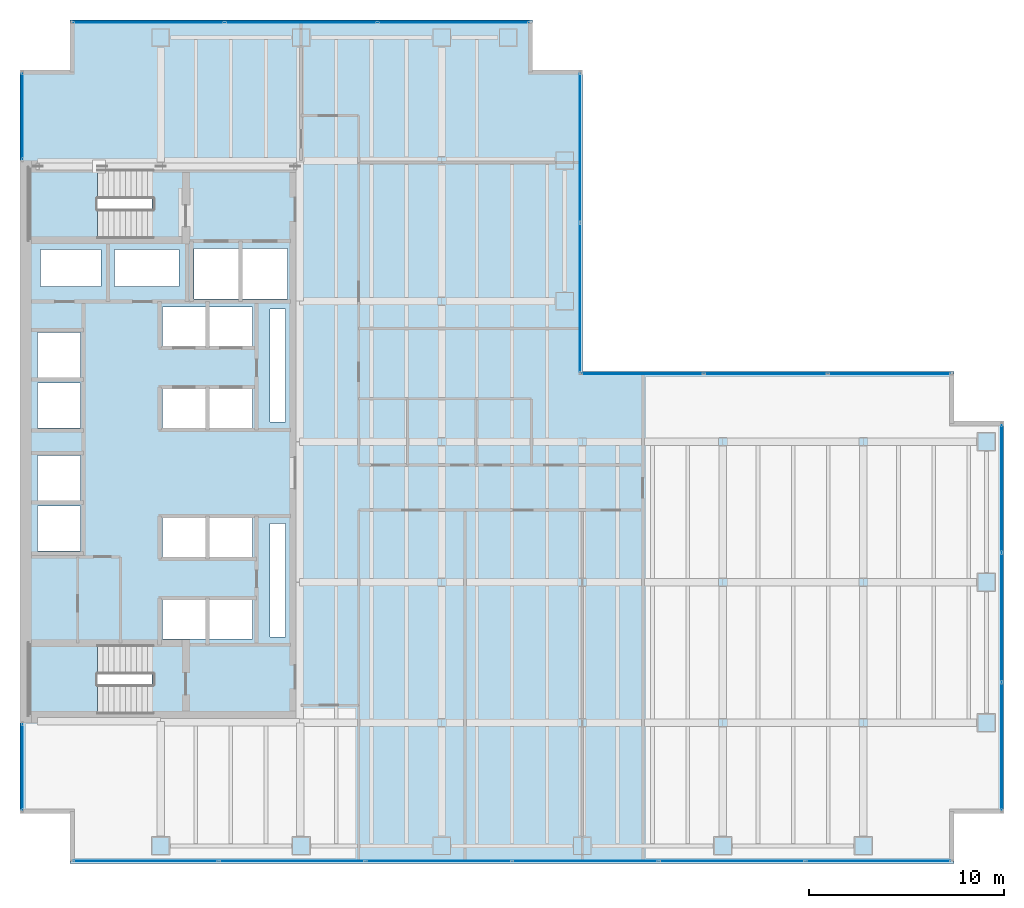
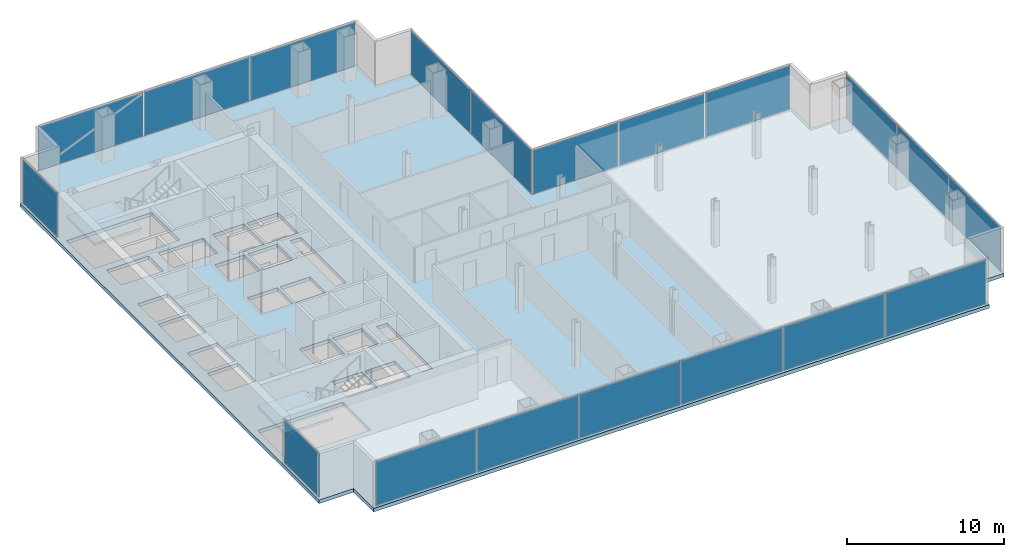
# One storey, part 19 of 24: 19 plates, 3 slabs, 20 openings, 9 elements without a shape of their own.
"""IFC4 building model written with IfcOpenShell, lengths in metres."""

from ifc_helpers import new_model, si_unit, direction, frame, origin, origin_2d, place, context, subcontext, project, spatial, polyline, rectangle, outline, extrude, material, layer, layer_set, type_object, element, aggregate, save


model = new_model("IFC4")

# Units and contexts
model_context = context("Model", 3, precision=1e-05, world=origin(), true_north=direction((0.0, 1.0)))
body_context = subcontext(model_context, "Body", "Model", "MODEL_VIEW")
ifc_project = project(units=[si_unit("LENGTHUNIT", "METRE"), si_unit("AREAUNIT", "SQUARE_METRE"), si_unit("VOLUMEUNIT", "CUBIC_METRE"), si_unit("PLANEANGLEUNIT", "RADIAN"), si_unit("MASSUNIT", "GRAM", prefix="KILO")], contexts=[model_context])

# Site, building, storey
site_placement = place(None, origin())
site = spatial("IfcSite", under=ifc_project, at=site_placement, CompositionType="ELEMENT")
building_placement = place(site_placement, origin())
building = spatial("IfcBuilding", under=site, at=building_placement, Name="Cobrela Telecom Tower", CompositionType="ELEMENT")
storey_placement = place(building_placement, frame((0.0, 0.0, 77.35009765625)))
storey = spatial("IfcBuildingStorey", under=building, at=storey_placement, Name="L19", CompositionType="ELEMENT", Elevation=77.35009765625)

# Curtain wall, plate
ifc_material_1 = material(Name="Anodized Bronze Aluminium 6063-T6", Category="aluminium")
curtain_wall_type = type_object("IfcCurtainWallType", Name="CW-SYS-DATA", PredefinedType="USERDEFINED", material=ifc_material_1)
curtain_wall_1_placement = place(storey_placement, origin())
curtain_wall_1 = element("IfcCurtainWall", 1, at=curtain_wall_1_placement, inside=storey, type_object=curtain_wall_type, Name="L19 Unitised Bronze Curtain Wall 03", ObjectType="UNITISED CURTAIN WALL", PredefinedType="USERDEFINED")
ifc_material_2 = material(Name="Solar-Control Bronze Low-E Glass", Category="glass")
ifc_layer_1 = layer(ifc_material_2, 0.0380859375)
ifc_layer_set_1 = layer_set([ifc_layer_1], Name="Solar-Control Bronze Low-E Glass")
plate_type = type_object("IfcPlateType", Name="CW-SYS-DATA-PNL", PredefinedType="CURTAIN_PANEL", material=ifc_layer_set_1)
plate_1_placement = place(storey_placement, frame((0.1201171875, 4.93505859375, 0.074951171875), z_axis=(0.0, 0.0, 1.0), x_axis=(0.0, 1.0, 0.0)))
plate_1 = element("IfcPlate", 2, at=plate_1_placement, type_object=plate_type, Name="CW-DATA panel 1.1", PredefinedType="CURTAIN_PANEL", context=body_context, shape_type="SweptSolid", body=[
    extrude(rectangle(XDim=4.3701171875, YDim=0.0380859375, at=origin_2d()), origin(), (0.0, 0.0, 1.0), 3.419921875),
])
aggregate(curtain_wall_1, [plate_1])

curtain_wall_2_placement = place(storey_placement, origin())
curtain_wall_2 = element("IfcCurtainWall", 3, at=curtain_wall_2_placement, inside=storey, type_object=curtain_wall_type, Name="L19 Unitised Bronze Curtain Wall 04", ObjectType="UNITISED CURTAIN WALL", PredefinedType="USERDEFINED")
plate_2_placement = place(storey_placement, frame((0.1201171875, 38.264892578125, 0.074951171875), z_axis=(0.0, 0.0, 1.0), x_axis=(0.0, 1.0, 0.0)))
plate_2 = element("IfcPlate", 4, at=plate_2_placement, type_object=plate_type, Name="CW-DATA panel 1.1", PredefinedType="CURTAIN_PANEL", context=body_context, shape_type="SweptSolid", body=[
    extrude(rectangle(XDim=4.3701171875, YDim=0.0380859375, at=origin_2d()), origin(), (0.0, 0.0, 1.0), 3.419921875),
])
aggregate(curtain_wall_2, [plate_2])

# Curtain wall, plates
curtain_wall_3_placement = place(storey_placement, origin())
curtain_wall_3 = element("IfcCurtainWall", 5, at=curtain_wall_3_placement, inside=storey, type_object=curtain_wall_type, Name="L19 Unitised Bronze Curtain Wall 07", ObjectType="UNITISED CURTAIN WALL", PredefinedType="USERDEFINED")
plate_3_placement = place(storey_placement, frame((6.60009765625, 43.080078125, 0.074951171875), z_axis=(0.0, 0.0, 1.0), x_axis=(1.0, 0.0, 0.0)))
plate_3 = element("IfcPlate", 6, at=plate_3_placement, type_object=plate_type, Name="CW-DATA panel 1.1", PredefinedType="CURTAIN_PANEL", context=body_context, shape_type="SweptSolid", body=[
    extrude(rectangle(XDim=7.699951171875, YDim=0.0380859375, at=origin_2d()), origin(), (0.0, 0.0, 1.0), 3.419921875),
])
plate_4_placement = place(storey_placement, frame((14.39990234375, 43.080078125, 0.074951171875), z_axis=(0.0, 0.0, 1.0), x_axis=(1.0, 0.0, 0.0)))
plate_4 = element("IfcPlate", 7, at=plate_4_placement, type_object=plate_type, Name="CW-DATA panel 2.1", PredefinedType="CURTAIN_PANEL", context=body_context, shape_type="SweptSolid", body=[
    extrude(rectangle(XDim=7.739990234375, YDim=0.0380859375, at=origin_2d()), origin(), (0.0, 0.0, 1.0), 3.419921875),
])
plate_5_placement = place(storey_placement, frame((22.199951171875, 43.080078125, 0.074951171875), z_axis=(0.0, 0.0, 1.0), x_axis=(1.0, 0.0, 0.0)))
plate_5 = element("IfcPlate", 8, at=plate_5_placement, type_object=plate_type, Name="CW-DATA panel 3.1", PredefinedType="CURTAIN_PANEL", context=body_context, shape_type="SweptSolid", body=[
    extrude(rectangle(XDim=7.699951171875, YDim=0.0380859375, at=origin_2d()), origin(), (0.0, 0.0, 1.0), 3.419921875),
])
aggregate(curtain_wall_3, [plate_3, plate_4, plate_5])

curtain_wall_4_placement = place(storey_placement, origin())
curtain_wall_4 = element("IfcCurtainWall", 9, at=curtain_wall_4_placement, inside=storey, type_object=curtain_wall_type, Name="L19 Unitised Bronze Curtain Wall 10", ObjectType="UNITISED CURTAIN WALL", PredefinedType="USERDEFINED")
plate_6_placement = place(storey_placement, frame((28.679931640625, 36.6474609375, 0.074951171875), z_axis=(0.0, 0.0, 1.0), x_axis=(0.0, -1.0, 0.0)))
plate_6 = element("IfcPlate", 10, at=plate_6_placement, type_object=plate_type, Name="CW-DATA panel 1.1", PredefinedType="CURTAIN_PANEL", context=body_context, shape_type="SweptSolid", body=[
    extrude(rectangle(XDim=7.60498046875, YDim=0.0380859375, at=origin_2d()), origin(), (0.0, 0.0, 1.0), 3.419921875),
])
plate_7_placement = place(storey_placement, frame((28.679931640625, 28.96240234375, 0.074951171875), z_axis=(0.0, 0.0, 1.0), x_axis=(0.0, -1.0, 0.0)))
plate_7 = element("IfcPlate", 11, at=plate_7_placement, type_object=plate_type, Name="CW-DATA panel 2.1", PredefinedType="CURTAIN_PANEL", context=body_context, shape_type="SweptSolid", body=[
    extrude(rectangle(XDim=7.60498046875, YDim=0.0380859375, at=origin_2d()), origin(), (0.0, 0.0, 1.0), 3.419921875),
])
aggregate(curtain_wall_4, [plate_6, plate_7])

curtain_wall_5_placement = place(storey_placement, origin())
curtain_wall_5 = element("IfcCurtainWall", 12, at=curtain_wall_5_placement, inside=storey, type_object=curtain_wall_type, Name="L19 Unitised Bronze Curtain Wall 11", ObjectType="UNITISED CURTAIN WALL", PredefinedType="USERDEFINED")
plate_8_placement = place(storey_placement, frame((31.875, 25.080078125, 0.074951171875), z_axis=(0.0, 0.0, 1.0), x_axis=(1.0, 0.0, 0.0)))
plate_8 = element("IfcPlate", 13, at=plate_8_placement, type_object=plate_type, Name="CW-DATA panel 1.1", PredefinedType="CURTAIN_PANEL", context=body_context, shape_type="SweptSolid", body=[
    extrude(rectangle(XDim=6.22998046875, YDim=0.0380859375, at=origin_2d()), origin(), (0.0, 0.0, 1.0), 3.419921875),
])
plate_9_placement = place(storey_placement, frame((38.205078125, 25.080078125, 0.074951171875), z_axis=(0.0, 0.0, 1.0), x_axis=(1.0, 0.0, 0.0)))
plate_9 = element("IfcPlate", 14, at=plate_9_placement, type_object=plate_type, Name="CW-DATA panel 2.1", PredefinedType="CURTAIN_PANEL", context=body_context, shape_type="SweptSolid", body=[
    extrude(rectangle(XDim=6.27001953125, YDim=0.0380859375, at=origin_2d()), origin(), (0.0, 0.0, 1.0), 3.419921875),
])
plate_10_placement = place(storey_placement, frame((44.534912109375, 25.080078125, 0.074951171875), z_axis=(0.0, 0.0, 1.0), x_axis=(1.0, 0.0, 0.0)))
plate_10 = element("IfcPlate", 15, at=plate_10_placement, type_object=plate_type, Name="CW-DATA panel 3.1", PredefinedType="CURTAIN_PANEL", context=body_context, shape_type="SweptSolid", body=[
    extrude(rectangle(XDim=6.22998046875, YDim=0.0380859375, at=origin_2d()), origin(), (0.0, 0.0, 1.0), 3.419921875),
])
aggregate(curtain_wall_5, [plate_8, plate_9, plate_10])

curtain_wall_6_placement = place(storey_placement, origin())
curtain_wall_6 = element("IfcCurtainWall", 16, at=curtain_wall_6_placement, inside=storey, type_object=curtain_wall_type, Name="L19 Unitised Bronze Curtain Wall 14", ObjectType="UNITISED CURTAIN WALL", PredefinedType="USERDEFINED")
plate_11_placement = place(storey_placement, frame((50.280029296875, 19.199951171875, 0.074951171875), z_axis=(0.0, 0.0, 1.0), x_axis=(0.0, -1.0, 0.0)))
plate_11 = element("IfcPlate", 17, at=plate_11_placement, type_object=plate_type, Name="CW-DATA panel 1.1", PredefinedType="CURTAIN_PANEL", context=body_context, shape_type="SweptSolid", body=[
    extrude(rectangle(XDim=6.5, YDim=0.0380859375, at=origin_2d()), origin(), (0.0, 0.0, 1.0), 3.419921875),
])
plate_12_placement = place(storey_placement, frame((50.280029296875, 12.60009765625, 0.074951171875), z_axis=(0.0, 0.0, 1.0), x_axis=(0.0, -1.0, 0.0)))
plate_12 = element("IfcPlate", 18, at=plate_12_placement, type_object=plate_type, Name="CW-DATA panel 2.1", PredefinedType="CURTAIN_PANEL", context=body_context, shape_type="SweptSolid", body=[
    extrude(rectangle(XDim=6.5400390625, YDim=0.0380859375, at=origin_2d()), origin(), (0.0, 0.0, 1.0), 3.419921875),
])
plate_13_placement = place(storey_placement, frame((50.280029296875, 6.0, 0.074951171875), z_axis=(0.0, 0.0, 1.0), x_axis=(0.0, -1.0, 0.0)))
plate_13 = element("IfcPlate", 19, at=plate_13_placement, type_object=plate_type, Name="CW-DATA panel 3.1", PredefinedType="CURTAIN_PANEL", context=body_context, shape_type="SweptSolid", body=[
    extrude(rectangle(XDim=6.5, YDim=0.0380859375, at=origin_2d()), origin(), (0.0, 0.0, 1.0), 3.419921875),
])
aggregate(curtain_wall_6, [plate_11, plate_12, plate_13])

curtain_wall_7_placement = place(storey_placement, origin())
curtain_wall_7 = element("IfcCurtainWall", 20, at=curtain_wall_7_placement, inside=storey, type_object=curtain_wall_type, Name="L19 Unitised Bronze Curtain Wall 17", ObjectType="UNITISED CURTAIN WALL", PredefinedType="USERDEFINED")
plate_14_placement = place(storey_placement, frame((43.955078125, 0.1201171875, 0.074951171875), z_axis=(0.0, 0.0, 1.0), x_axis=(-1.0, 0.0, 0.0)))
plate_14 = element("IfcPlate", 21, at=plate_14_placement, type_object=plate_type, Name="CW-DATA panel 1.1", PredefinedType="CURTAIN_PANEL", context=body_context, shape_type="SweptSolid", body=[
    extrude(rectangle(XDim=7.389892578125, YDim=0.0380859375, at=origin_2d()), origin(), (0.0, 0.0, 1.0), 3.419921875),
])
plate_15_placement = place(storey_placement, frame((36.465087890625, 0.1201171875, 0.074951171875), z_axis=(0.0, 0.0, 1.0), x_axis=(-1.0, 0.0, 0.0)))
plate_15 = element("IfcPlate", 22, at=plate_15_placement, type_object=plate_type, Name="CW-DATA panel 2.1", PredefinedType="CURTAIN_PANEL", context=body_context, shape_type="SweptSolid", body=[
    extrude(rectangle(XDim=7.429931640625, YDim=0.0380859375, at=origin_2d()), origin(), (0.0, 0.0, 1.0), 3.419921875),
])
plate_16_placement = place(storey_placement, frame((28.955078125, 0.1201171875, 0.074951171875), z_axis=(0.0, 0.0, 1.0), x_axis=(-1.0, 0.0, 0.0)))
plate_16 = element("IfcPlate", 23, at=plate_16_placement, type_object=plate_type, Name="CW-DATA panel 3.1", PredefinedType="CURTAIN_PANEL", context=body_context, shape_type="SweptSolid", body=[
    extrude(rectangle(XDim=7.429931640625, YDim=0.0380859375, at=origin_2d()), origin(), (0.0, 0.0, 1.0), 3.419921875),
])
plate_17_placement = place(storey_placement, frame((21.445068359375, 0.1201171875, 0.074951171875), z_axis=(0.0, 0.0, 1.0), x_axis=(-1.0, 0.0, 0.0)))
plate_17 = element("IfcPlate", 24, at=plate_17_placement, type_object=plate_type, Name="CW-DATA panel 4.1", PredefinedType="CURTAIN_PANEL", context=body_context, shape_type="SweptSolid", body=[
    extrude(rectangle(XDim=7.429931640625, YDim=0.0380859375, at=origin_2d()), origin(), (0.0, 0.0, 1.0), 3.419921875),
])
plate_18_placement = place(storey_placement, frame((13.93505859375, 0.1201171875, 0.074951171875), z_axis=(0.0, 0.0, 1.0), x_axis=(-1.0, 0.0, 0.0)))
plate_18 = element("IfcPlate", 25, at=plate_18_placement, type_object=plate_type, Name="CW-DATA panel 5.1", PredefinedType="CURTAIN_PANEL", context=body_context, shape_type="SweptSolid", body=[
    extrude(rectangle(XDim=7.429931640625, YDim=0.0380859375, at=origin_2d()), origin(), (0.0, 0.0, 1.0), 3.419921875),
])
plate_19_placement = place(storey_placement, frame((6.445068359375, 0.1201171875, 0.074951171875), z_axis=(0.0, 0.0, 1.0), x_axis=(-1.0, 0.0, 0.0)))
plate_19 = element("IfcPlate", 26, at=plate_19_placement, type_object=plate_type, Name="CW-DATA panel 6.1", PredefinedType="CURTAIN_PANEL", context=body_context, shape_type="SweptSolid", body=[
    extrude(rectangle(XDim=7.389892578125, YDim=0.0380859375, at=origin_2d()), origin(), (0.0, 0.0, 1.0), 3.419921875),
])
aggregate(curtain_wall_7, [plate_14, plate_15, plate_16, plate_17, plate_18, plate_19])

# Slab, openings
ifc_material_3 = material(Name="Concrete C40/50", Category="concrete")
ifc_layer_2 = layer(ifc_material_3, 0.280029296875)
ifc_layer_set_2 = layer_set([ifc_layer_2], Name="Concrete C40/50")
slab_type_1 = type_object("IfcSlabType", Name="SLAB-FLR-280", PredefinedType="FLOOR", material=ifc_layer_set_2)
slab_1_placement = place(storey_placement, frame((0.0, 0.0, -0.280029296875)))
slab_1 = element("IfcSlab", 27, at=slab_1_placement, inside=storey, type_object=slab_type_1, Name="L19 Structural Floor Slab", PredefinedType="FLOOR", context=body_context, shape_type="SweptSolid", body=[
    extrude(outline(polyline([(2.550048828125, 0.0), (47.85009765625, 0.0), (47.85009765625, 2.550048828125), (50.39990234375, 2.550048828125), (50.39990234375, 22.64990234375), (47.85009765625, 22.64990234375), (47.85009765625, 25.199951171875), (28.800048828125, 25.199951171875), (28.800048828125, 40.64990234375), (26.25, 40.64990234375), (26.25, 43.199951171875), (2.550048828125, 43.199951171875), (2.550048828125, 40.64990234375), (0.0, 40.64990234375), (0.0, 2.550048828125), (2.550048828125, 2.550048828125), (2.550048828125, 0.0)])), origin(), (0.0, 0.0, 1.0), 0.280029296875),
])
opening_1_placement = place(slab_1_placement, frame((0.0, 0.0, -0.02001953125)))
element("IfcOpeningElement", 28, at=opening_1_placement, cuts=slab_1, Name="Slab Shaft Opening SLAB-L19-MAIN.1", PredefinedType="OPENING", context=body_context, shape_type="SweptSolid", body=[
    extrude(outline(polyline([(8.89990234375, 28.89990234375), (11.199951171875, 28.89990234375), (11.199951171875, 31.5), (8.89990234375, 31.5), (8.89990234375, 28.89990234375)])), origin(), (0.0, 0.0, 1.0), 0.320068359375),
])
opening_2_placement = place(slab_1_placement, frame((0.0, 0.0, -0.02001953125)))
element("IfcOpeningElement", 29, at=opening_2_placement, cuts=slab_1, Name="Slab Shaft Opening SLAB-L19-MAIN.2", PredefinedType="OPENING", context=body_context, shape_type="SweptSolid", body=[
    extrude(outline(polyline([(11.39990234375, 28.89990234375), (13.699951171875, 28.89990234375), (13.699951171875, 31.5), (11.39990234375, 31.5), (11.39990234375, 28.89990234375)])), origin(), (0.0, 0.0, 1.0), 0.320068359375),
])
opening_3_placement = place(slab_1_placement, frame((0.0, 0.0, -0.02001953125)))
element("IfcOpeningElement", 30, at=opening_3_placement, cuts=slab_1, Name="Slab Shaft Opening SLAB-L19-MAIN.3", PredefinedType="OPENING", context=body_context, shape_type="SweptSolid", body=[
    extrude(outline(polyline([(7.300048828125, 22.300048828125), (9.5, 22.300048828125), (9.5, 24.300048828125), (7.300048828125, 24.300048828125), (7.300048828125, 22.300048828125)])), origin(), (0.0, 0.0, 1.0), 0.320068359375),
])
opening_4_placement = place(slab_1_placement, frame((0.0, 0.0, -0.02001953125)))
element("IfcOpeningElement", 31, at=opening_4_placement, cuts=slab_1, Name="Slab Shaft Opening SLAB-L19-MAIN.4", PredefinedType="OPENING", context=body_context, shape_type="SweptSolid", body=[
    extrude(outline(polyline([(9.699951171875, 22.300048828125), (11.89990234375, 22.300048828125), (11.89990234375, 24.300048828125), (9.699951171875, 24.300048828125), (9.699951171875, 22.300048828125)])), origin(), (0.0, 0.0, 1.0), 0.320068359375),
])
opening_5_placement = place(slab_1_placement, frame((0.0, 0.0, -0.02001953125)))
element("IfcOpeningElement", 32, at=opening_5_placement, cuts=slab_1, Name="Slab Shaft Opening SLAB-L19-MAIN.5", PredefinedType="OPENING", context=body_context, shape_type="SweptSolid", body=[
    extrude(outline(polyline([(7.300048828125, 26.5), (9.5, 26.5), (9.5, 28.5), (7.300048828125, 28.5), (7.300048828125, 26.5)])), origin(), (0.0, 0.0, 1.0), 0.320068359375),
])
opening_6_placement = place(slab_1_placement, frame((0.0, 0.0, -0.02001953125)))
element("IfcOpeningElement", 33, at=opening_6_placement, cuts=slab_1, Name="Slab Shaft Opening SLAB-L19-MAIN.6", PredefinedType="OPENING", context=body_context, shape_type="SweptSolid", body=[
    extrude(outline(polyline([(9.699951171875, 26.5), (11.89990234375, 26.5), (11.89990234375, 28.5), (9.699951171875, 28.5), (9.699951171875, 26.5)])), origin(), (0.0, 0.0, 1.0), 0.320068359375),
])
opening_7_placement = place(slab_1_placement, frame((0.0, 0.0, -0.02001953125)))
element("IfcOpeningElement", 34, at=opening_7_placement, cuts=slab_1, Name="Slab Shaft Opening SLAB-L19-MAIN.7", PredefinedType="OPENING", context=body_context, shape_type="SweptSolid", body=[
    extrude(outline(polyline([(7.300048828125, 15.699951171875), (9.5, 15.699951171875), (9.5, 17.699951171875), (7.300048828125, 17.699951171875), (7.300048828125, 15.699951171875)])), origin(), (0.0, 0.0, 1.0), 0.320068359375),
])
opening_8_placement = place(slab_1_placement, frame((0.0, 0.0, -0.02001953125)))
element("IfcOpeningElement", 35, at=opening_8_placement, cuts=slab_1, Name="Slab Shaft Opening SLAB-L19-MAIN.8", PredefinedType="OPENING", context=body_context, shape_type="SweptSolid", body=[
    extrude(outline(polyline([(9.699951171875, 15.699951171875), (11.89990234375, 15.699951171875), (11.89990234375, 17.699951171875), (9.699951171875, 17.699951171875), (9.699951171875, 15.699951171875)])), origin(), (0.0, 0.0, 1.0), 0.320068359375),
])
opening_9_placement = place(slab_1_placement, frame((0.0, 0.0, -0.02001953125)))
element("IfcOpeningElement", 36, at=opening_9_placement, cuts=slab_1, Name="Slab Shaft Opening SLAB-L19-MAIN.9", PredefinedType="OPENING", context=body_context, shape_type="SweptSolid", body=[
    extrude(outline(polyline([(7.300048828125, 11.5), (9.5, 11.5), (9.5, 13.5), (7.300048828125, 13.5), (7.300048828125, 11.5)])), origin(), (0.0, 0.0, 1.0), 0.320068359375),
])
opening_10_placement = place(slab_1_placement, frame((0.0, 0.0, -0.02001953125)))
element("IfcOpeningElement", 37, at=opening_10_placement, cuts=slab_1, Name="Slab Shaft Opening SLAB-L19-MAIN.10", PredefinedType="OPENING", context=body_context, shape_type="SweptSolid", body=[
    extrude(outline(polyline([(9.699951171875, 11.5), (11.89990234375, 11.5), (11.89990234375, 13.5), (9.699951171875, 13.5), (9.699951171875, 11.5)])), origin(), (0.0, 0.0, 1.0), 0.320068359375),
])
opening_11_placement = place(slab_1_placement, frame((0.0, 0.0, -0.02001953125)))
element("IfcOpeningElement", 38, at=opening_11_placement, cuts=slab_1, Name="Slab Shaft Opening SLAB-L19-MAIN.11", PredefinedType="OPENING", context=body_context, shape_type="SweptSolid", body=[
    extrude(outline(polyline([(0.89990234375, 16.0), (3.10009765625, 16.0), (3.10009765625, 18.300048828125), (0.89990234375, 18.300048828125), (0.89990234375, 16.0)])), origin(), (0.0, 0.0, 1.0), 0.320068359375),
])
opening_12_placement = place(slab_1_placement, frame((0.0, 0.0, -0.02001953125)))
element("IfcOpeningElement", 39, at=opening_12_placement, cuts=slab_1, Name="Slab Shaft Opening SLAB-L19-MAIN.12", PredefinedType="OPENING", context=body_context, shape_type="SweptSolid", body=[
    extrude(outline(polyline([(0.89990234375, 18.60009765625), (3.10009765625, 18.60009765625), (3.10009765625, 20.89990234375), (0.89990234375, 20.89990234375), (0.89990234375, 18.60009765625)])), origin(), (0.0, 0.0, 1.0), 0.320068359375),
])
opening_13_placement = place(slab_1_placement, frame((0.0, 0.0, -0.02001953125)))
element("IfcOpeningElement", 40, at=opening_13_placement, cuts=slab_1, Name="Slab Shaft Opening SLAB-L19-MAIN.13", PredefinedType="OPENING", context=body_context, shape_type="SweptSolid", body=[
    extrude(outline(polyline([(0.89990234375, 22.300048828125), (3.10009765625, 22.300048828125), (3.10009765625, 24.60009765625), (0.89990234375, 24.60009765625), (0.89990234375, 22.300048828125)])), origin(), (0.0, 0.0, 1.0), 0.320068359375),
])
opening_14_placement = place(slab_1_placement, frame((0.0, 0.0, -0.02001953125)))
element("IfcOpeningElement", 41, at=opening_14_placement, cuts=slab_1, Name="Slab Shaft Opening SLAB-L19-MAIN.14", PredefinedType="OPENING", context=body_context, shape_type="SweptSolid", body=[
    extrude(outline(polyline([(0.89990234375, 24.89990234375), (3.10009765625, 24.89990234375), (3.10009765625, 27.199951171875), (0.89990234375, 27.199951171875), (0.89990234375, 24.89990234375)])), origin(), (0.0, 0.0, 1.0), 0.320068359375),
])
opening_15_placement = place(slab_1_placement, frame((0.0, 0.0, -0.02001953125)))
element("IfcOpeningElement", 42, at=opening_15_placement, cuts=slab_1, Name="Slab Shaft Opening SLAB-L19-MAIN.15", PredefinedType="OPENING", context=body_context, shape_type="SweptSolid", body=[
    extrude(outline(polyline([(1.050048828125, 29.550048828125), (4.14990234375, 29.550048828125), (4.14990234375, 31.449951171875), (1.050048828125, 31.449951171875), (1.050048828125, 29.550048828125)])), origin(), (0.0, 0.0, 1.0), 0.320068359375),
])
opening_16_placement = place(slab_1_placement, frame((0.0, 0.0, -0.02001953125)))
element("IfcOpeningElement", 43, at=opening_16_placement, cuts=slab_1, Name="Slab Shaft Opening SLAB-L19-MAIN.16", PredefinedType="OPENING", context=body_context, shape_type="SweptSolid", body=[
    extrude(outline(polyline([(4.85009765625, 29.550048828125), (8.14990234375, 29.550048828125), (8.14990234375, 31.449951171875), (4.85009765625, 31.449951171875), (4.85009765625, 29.550048828125)])), origin(), (0.0, 0.0, 1.0), 0.320068359375),
])
opening_17_placement = place(slab_1_placement, frame((0.0, 0.0, -0.02001953125)))
element("IfcOpeningElement", 44, at=opening_17_placement, cuts=slab_1, Name="Slab Shaft Opening SLAB-L19-MAIN.17", PredefinedType="OPENING", context=body_context, shape_type="SweptSolid", body=[
    extrude(outline(polyline([(12.800048828125, 22.60009765625), (13.60009765625, 22.60009765625), (13.60009765625, 28.39990234375), (12.800048828125, 28.39990234375), (12.800048828125, 22.60009765625)])), origin(), (0.0, 0.0, 1.0), 0.320068359375),
])
opening_18_placement = place(slab_1_placement, frame((0.0, 0.0, -0.02001953125)))
element("IfcOpeningElement", 45, at=opening_18_placement, cuts=slab_1, Name="Slab Shaft Opening SLAB-L19-MAIN.18", PredefinedType="OPENING", context=body_context, shape_type="SweptSolid", body=[
    extrude(outline(polyline([(12.800048828125, 11.60009765625), (13.60009765625, 11.60009765625), (13.60009765625, 17.39990234375), (12.800048828125, 17.39990234375), (12.800048828125, 11.60009765625)])), origin(), (0.0, 0.0, 1.0), 0.320068359375),
])
opening_19_placement = place(slab_1_placement, frame((0.0, 0.0, -0.02001953125)))
element("IfcOpeningElement", 46, at=opening_19_placement, cuts=slab_1, Name="Slab Shaft Opening SLAB-L19-MAIN.19", PredefinedType="OPENING", context=body_context, shape_type="SweptSolid", body=[
    extrude(outline(polyline([(6.7548828125, 35.550048828125), (0.47998046875, 35.550048828125), (0.47998046875, 32.0), (6.7548828125, 32.0), (6.7548828125, 35.550048828125)])), origin(), (0.0, 0.0, 1.0), 0.320068359375),
])
opening_20_placement = place(slab_1_placement, frame((0.0, 0.0, -0.02001953125)))
element("IfcOpeningElement", 47, at=opening_20_placement, cuts=slab_1, Name="Slab Shaft Opening SLAB-L19-MAIN.20", PredefinedType="OPENING", context=body_context, shape_type="SweptSolid", body=[
    extrude(outline(polyline([(6.7548828125, 11.199951171875), (0.47998046875, 11.199951171875), (0.47998046875, 7.64990234375), (6.7548828125, 7.64990234375), (6.7548828125, 11.199951171875)])), origin(), (0.0, 0.0, 1.0), 0.320068359375),
])

# Stair, slab
stair_type = type_object("IfcStairType", Name="STAIR-CORE", PredefinedType="HALF_TURN_STAIR", material=ifc_material_3)
stair_1_placement = place(storey_placement, origin())
stair_1 = element("IfcStair", 48, at=stair_1_placement, inside=storey, type_object=stair_type, Name="L19 Smokeproof Exit Stair ST1", PredefinedType="HALF_TURN_STAIR")
ifc_layer_3 = layer(ifc_material_3, 0.199951171875)
ifc_layer_set_3 = layer_set([ifc_layer_3], Name="Concrete C40/50")
slab_type_2 = type_object("IfcSlabType", Name="SLAB-LAND-200", PredefinedType="LANDING", material=ifc_layer_set_3)
slab_2_placement = place(storey_placement, frame((0.0, 0.0, 1.724853515625)))
slab_2 = element("IfcSlab", 49, at=slab_2_placement, type_object=slab_type_2, Name="ST1 landing 1", PredefinedType="LANDING", context=body_context, shape_type="SweptSolid", body=[
    extrude(outline(polyline([(3.969970703125, 35.550048828125), (0.47998046875, 35.550048828125), (0.47998046875, 32.0), (3.969970703125, 32.0), (3.969970703125, 35.550048828125)])), origin(), (0.0, 0.0, 1.0), 0.199951171875),
])
aggregate(stair_1, [slab_2])

stair_2_placement = place(storey_placement, origin())
stair_2 = element("IfcStair", 50, at=stair_2_placement, inside=storey, type_object=stair_type, Name="L19 Smokeproof Exit Stair ST2", PredefinedType="HALF_TURN_STAIR")
slab_3_placement = place(storey_placement, frame((0.0, 0.0, 1.724853515625)))
slab_3 = element("IfcSlab", 51, at=slab_3_placement, type_object=slab_type_2, Name="ST2 landing 1", PredefinedType="LANDING", context=body_context, shape_type="SweptSolid", body=[
    extrude(outline(polyline([(3.969970703125, 11.199951171875), (0.47998046875, 11.199951171875), (0.47998046875, 7.64990234375), (3.969970703125, 7.64990234375), (3.969970703125, 11.199951171875)])), origin(), (0.0, 0.0, 1.0), 0.199951171875),
])
aggregate(stair_2, [slab_3])

save(model, "model.ifc")
